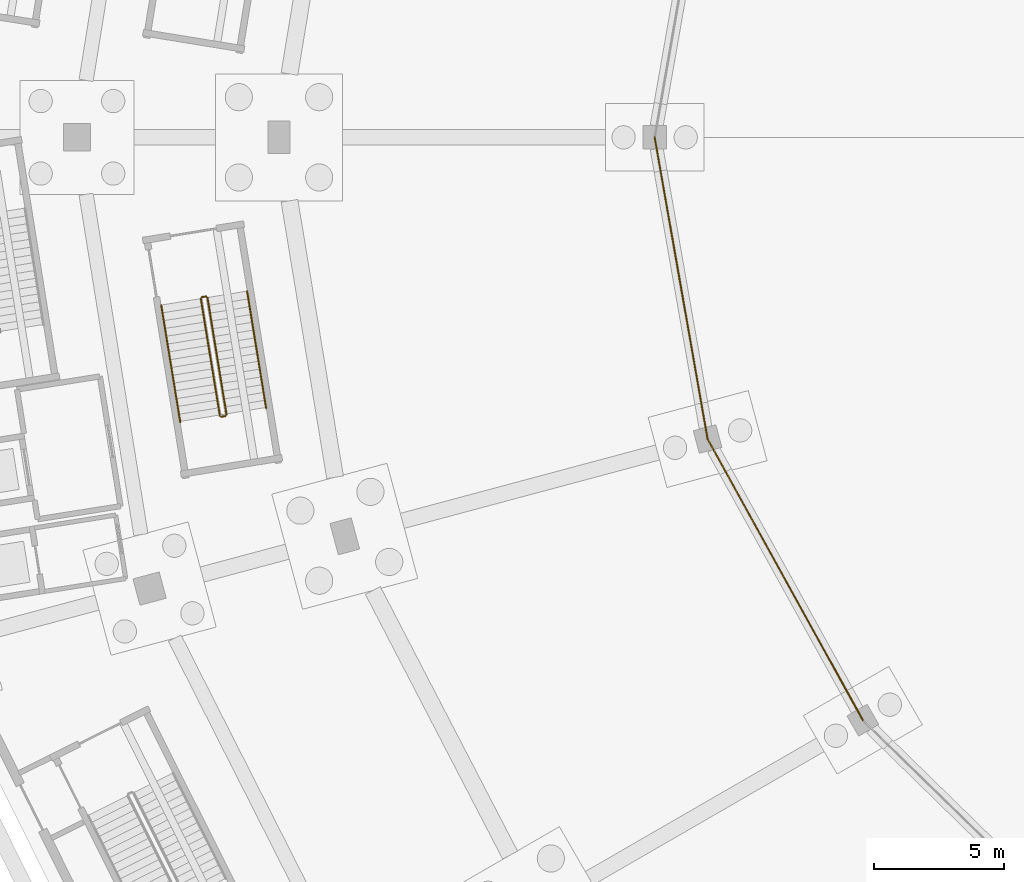
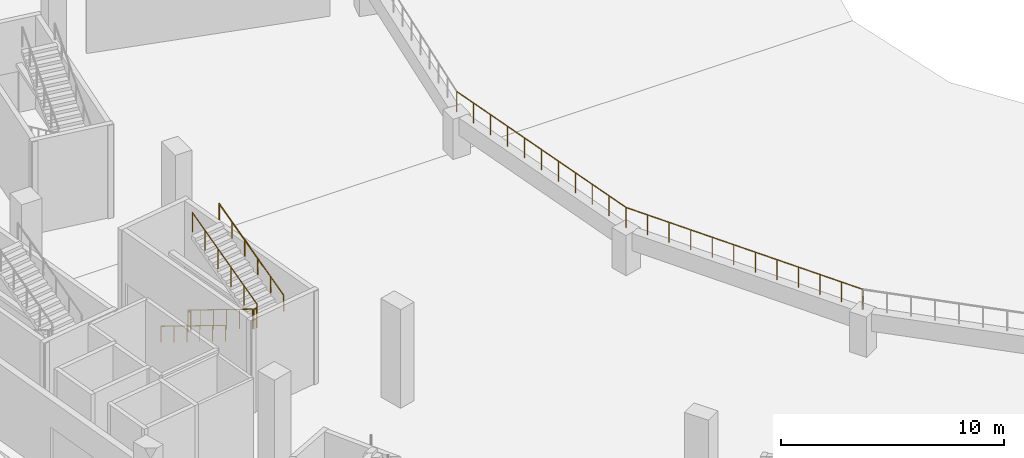
# One storey, part 66 of 103: 8 railings.
"""IFC4 building model written with IfcOpenShell, lengths in metres."""

from ifc_helpers import new_model, si_unit, direction, frame, origin, origin_2d, place, context, subcontext, project, spatial, circle, extrude, material, type_object, element, save


model = new_model("IFC4")

# Units and contexts
model_context = context("Model", 3, precision=1e-05, world=origin(), true_north=direction((0.0, 1.0)))
body_context = subcontext(model_context, "Body", "Model", "MODEL_VIEW")
ifc_project = project(units=[si_unit("LENGTHUNIT", "METRE"), si_unit("AREAUNIT", "SQUARE_METRE"), si_unit("VOLUMEUNIT", "CUBIC_METRE"), si_unit("PLANEANGLEUNIT", "RADIAN"), si_unit("MASSUNIT", "GRAM", prefix="KILO")], contexts=[model_context])

# Site, building, storey
site_placement = place(None, origin())
site = spatial("IfcSite", under=ifc_project, at=site_placement, CompositionType="ELEMENT")
building_placement = place(site_placement, origin())
building = spatial("IfcBuilding", under=site, at=building_placement, Name="Zevraka Park Crest Stadium", CompositionType="ELEMENT")
storey_placement = place(building_placement, origin())
storey = spatial("IfcBuildingStorey", under=building, at=storey_placement, Name="L00", CompositionType="ELEMENT", Elevation=0.0)

# Railings
ifc_material_1 = material(Name="Laminated glass and stainless steel sightline bowl guard", Category="steel")
railing_type_1 = type_object("IfcRailingType", Name="GR02", PredefinedType="GUARDRAIL", material=ifc_material_1)
railing_1_placement = place(storey_placement, frame((52.0, 92.0, 2.199951171875)))
element("IfcRailing", 1, at=railing_1_placement, inside=storey, type_object=railing_type_1, Name="Lower Tier Pitch Sightline Guard GR02 12", PredefinedType="GUARDRAIL", context=body_context, shape_type="SweptSolid", body=[
    extrude(circle(Radius=0.02392578125, at=origin_2d()), frame((0.0, 0.0, 1.09619140625), z_axis=(0.172850079184, -0.984948145907, 0.0), x_axis=(0.984948145907, 0.172850079184, 0.0)), (0.0, 0.0, 1.0), 11.824951171875),
    extrude(circle(Radius=0.02099609375, at=origin_2d()), origin(), (0.0, 0.0, 1.0), 1.072021484375),
    extrude(circle(Radius=0.02099609375, at=origin_2d()), frame((0.204345703125, -1.164794921875, 0.0)), (0.0, 0.0, 1.0), 1.072021484375),
    extrude(circle(Radius=0.02099609375, at=origin_2d()), frame((0.40869140625, -2.329345703125, 0.0)), (0.0, 0.0, 1.0), 1.072021484375),
    extrude(circle(Radius=0.02099609375, at=origin_2d()), frame((0.61328125, -3.494140625, 0.0)), (0.0, 0.0, 1.0), 1.072021484375),
    extrude(circle(Radius=0.02099609375, at=origin_2d()), frame((0.817626953125, -4.65869140625, 0.0)), (0.0, 0.0, 1.0), 1.072021484375),
    extrude(circle(Radius=0.02099609375, at=origin_2d()), frame((1.02197265625, -5.823486328125, 0.0)), (0.0, 0.0, 1.0), 1.072021484375),
    extrude(circle(Radius=0.02099609375, at=origin_2d()), frame((1.226318359375, -6.98828125, 0.0)), (0.0, 0.0, 1.0), 1.072021484375),
    extrude(circle(Radius=0.02099609375, at=origin_2d()), frame((1.4306640625, -8.15283203125, 0.0)), (0.0, 0.0, 1.0), 1.072021484375),
    extrude(circle(Radius=0.02099609375, at=origin_2d()), frame((1.63525390625, -9.317626953125, 0.0)), (0.0, 0.0, 1.0), 1.072021484375),
    extrude(circle(Radius=0.02099609375, at=origin_2d()), frame((1.839599609375, -10.482177734375, 0.0)), (0.0, 0.0, 1.0), 1.072021484375),
    extrude(circle(Radius=0.02099609375, at=origin_2d()), frame((2.0439453125, -11.64697265625, 0.0)), (0.0, 0.0, 1.0), 1.072021484375),
])
railing_2_placement = place(storey_placement, frame((54.0439453125, 80.35302734375, 2.199951171875)))
element("IfcRailing", 2, at=railing_2_placement, inside=storey, type_object=railing_type_1, Name="Lower Tier Pitch Sightline Guard GR02 13", PredefinedType="GUARDRAIL", context=body_context, shape_type="SweptSolid", body=[
    extrude(circle(Radius=0.02392578125, at=origin_2d()), frame((0.0, 0.0, 1.09619140625), z_axis=(0.483464590842, -0.875363918266, 0.0), x_axis=(0.875363918266, 0.483464590842, 0.0)), (0.0, 0.0, 1.0), 12.398193359375),
    extrude(circle(Radius=0.02099609375, at=origin_2d()), origin(), (0.0, 0.0, 1.0), 1.072021484375),
    extrude(circle(Radius=0.02099609375, at=origin_2d()), frame((0.544921875, -0.986572265625, 0.0)), (0.0, 0.0, 1.0), 1.072021484375),
    extrude(circle(Radius=0.02099609375, at=origin_2d()), frame((1.08984375, -1.973388671875, 0.0)), (0.0, 0.0, 1.0), 1.072021484375),
    extrude(circle(Radius=0.02099609375, at=origin_2d()), frame((1.634765625, -2.9599609375, 0.0)), (0.0, 0.0, 1.0), 1.072021484375),
    extrude(circle(Radius=0.02099609375, at=origin_2d()), frame((2.1796875, -3.946533203125, 0.0)), (0.0, 0.0, 1.0), 1.072021484375),
    extrude(circle(Radius=0.02099609375, at=origin_2d()), frame((2.724609375, -4.93310546875, 0.0)), (0.0, 0.0, 1.0), 1.072021484375),
    extrude(circle(Radius=0.02099609375, at=origin_2d()), frame((3.26953125, -5.919921875, 0.0)), (0.0, 0.0, 1.0), 1.072021484375),
    extrude(circle(Radius=0.02099609375, at=origin_2d()), frame((3.814453125, -6.906494140625, 0.0)), (0.0, 0.0, 1.0), 1.072021484375),
    extrude(circle(Radius=0.02099609375, at=origin_2d()), frame((4.359375, -7.89306640625, 0.0)), (0.0, 0.0, 1.0), 1.072021484375),
    extrude(circle(Radius=0.02099609375, at=origin_2d()), frame((4.904296875, -8.879638671875, 0.0)), (0.0, 0.0, 1.0), 1.072021484375),
    extrude(circle(Radius=0.02099609375, at=origin_2d()), frame((5.44921875, -9.866455078125, 0.0)), (0.0, 0.0, 1.0), 1.072021484375),
    extrude(circle(Radius=0.02099609375, at=origin_2d()), frame((5.994140625, -10.85302734375, 0.0)), (0.0, 0.0, 1.0), 1.072021484375),
])
ifc_material_2 = material(Name="Powder-coated tubular steel stairwell guard", Category="steel")
railing_type_2 = type_object("IfcRailingType", Name="GR03", PredefinedType="GUARDRAIL", material=ifc_material_2)
railing_3_placement = place(storey_placement, frame((34.48193359375, 85.77294921875, 0.168701171875)))
element("IfcRailing", 3, at=railing_3_placement, inside=storey, type_object=railing_type_2, Name="L00 ST39 stair guard 1", PredefinedType="GUARDRAIL", context=body_context, shape_type="SweptSolid", body=[
    extrude(circle(Radius=0.02392578125, at=origin_2d()), frame((0.0, 0.0, 1.076171875), z_axis=(0.140638749695, -0.863630250448, 0.484111074646), x_axis=(0.986998608989, 0.160728795971, 0.0)), (0.0, 0.0, 1.0), 5.228759765625),
    extrude(circle(Radius=0.02099609375, at=origin_2d()), origin(), (0.0, 0.0, 1.0), 1.052001953125),
    extrude(circle(Radius=0.02099609375, at=origin_2d()), frame((0.14697265625, -0.903076171875, 0.50634765625)), (0.0, 0.0, 1.0), 1.052001953125),
    extrude(circle(Radius=0.02099609375, at=origin_2d()), frame((0.294189453125, -1.80615234375, 1.012451171875)), (0.0, 0.0, 1.0), 1.052001953125),
    extrude(circle(Radius=0.02099609375, at=origin_2d()), frame((0.441162109375, -2.70947265625, 1.518798828125)), (0.0, 0.0, 1.0), 1.052001953125),
    extrude(circle(Radius=0.02099609375, at=origin_2d()), frame((0.58837890625, -3.612548828125, 2.02490234375)), (0.0, 0.0, 1.0), 1.052001953125),
    extrude(circle(Radius=0.02099609375, at=origin_2d()), frame((0.7353515625, -4.515625, 2.53125)), (0.0, 0.0, 1.0), 1.052001953125),
])
railing_4_placement = place(storey_placement, frame((35.274658203125, 81.216064453125, 2.699951171875)))
element("IfcRailing", 4, at=railing_4_placement, inside=storey, type_object=railing_type_2, Name="L00 ST39 stair guard 2", PredefinedType="GUARDRAIL", context=body_context, shape_type="SweptSolid", body=[
    extrude(circle(Radius=0.02392578125, at=origin_2d()), frame((0.0, 0.0, 1.076171875), z_axis=(0.98680366745, 0.161921344814, 0.0), x_axis=(-0.161921344814, 0.98680366745, 0.0)), (0.0, 0.0, 1.0), 0.159912109375),
    extrude(circle(Radius=0.02099609375, at=origin_2d()), origin(), (0.0, 0.0, 1.0), 1.052001953125),
    extrude(circle(Radius=0.02099609375, at=origin_2d()), frame((0.15771484375, 0.02587890625, 0.0)), (0.0, 0.0, 1.0), 1.052001953125),
])
railing_5_placement = place(storey_placement, frame((35.473876953125, 81.29931640625, 2.86865234375)))
element("IfcRailing", 5, at=railing_5_placement, inside=storey, type_object=railing_type_2, Name="L00 ST39 stair guard 3", PredefinedType="GUARDRAIL", context=body_context, shape_type="SweptSolid", body=[
    extrude(circle(Radius=0.02392578125, at=origin_2d()), frame((0.0, 0.0, 1.076171875), z_axis=(-0.140644421188, 0.863618383089, 0.484130597235), x_axis=(-0.986997230318, -0.160737261839, 0.0)), (0.0, 0.0, 1.0), 5.228515625),
    extrude(circle(Radius=0.02099609375, at=origin_2d()), origin(), (0.0, 0.0, 1.0), 1.052001953125),
    extrude(circle(Radius=0.02099609375, at=origin_2d()), frame((-0.14697265625, 0.903076171875, 0.50634765625)), (0.0, 0.0, 1.0), 1.052001953125),
    extrude(circle(Radius=0.02099609375, at=origin_2d()), frame((-0.294189453125, 1.80615234375, 1.012451171875)), (0.0, 0.0, 1.0), 1.052001953125),
    extrude(circle(Radius=0.02099609375, at=origin_2d()), frame((-0.441162109375, 2.709228515625, 1.518798828125)), (0.0, 0.0, 1.0), 1.052001953125),
    extrude(circle(Radius=0.02099609375, at=origin_2d()), frame((-0.58837890625, 3.6123046875, 2.02490234375)), (0.0, 0.0, 1.0), 1.052001953125),
    extrude(circle(Radius=0.02099609375, at=origin_2d()), frame((-0.7353515625, 4.515380859375, 2.53125)), (0.0, 0.0, 1.0), 1.052001953125),
])
railing_6_placement = place(storey_placement, frame((34.523193359375, 85.830322265625, 0.0)))
element("IfcRailing", 6, at=railing_6_placement, inside=storey, type_object=railing_type_2, Name="L00 ST39 stair guard 4", PredefinedType="GUARDRAIL", context=body_context, shape_type="SweptSolid", body=[
    extrude(circle(Radius=0.02392578125, at=origin_2d()), frame((0.0, 0.0, 1.076171875), z_axis=(0.987085924886, 0.160191687964, 0.0), x_axis=(-0.160191687964, 0.987085924886, 0.0)), (0.0, 0.0, 1.0), 0.159912109375),
    extrude(circle(Radius=0.02099609375, at=origin_2d()), origin(), (0.0, 0.0, 1.0), 1.052001953125),
    extrude(circle(Radius=0.02099609375, at=origin_2d()), frame((0.157958984375, 0.025634765625, 0.0)), (0.0, 0.0, 1.0), 1.052001953125),
])
ifc_material_3 = material(Name="Brushed stainless steel continuous handrail", Category="steel")
railing_type_3 = type_object("IfcRailingType", Name="HR01", PredefinedType="HANDRAIL", material=ifc_material_3)
railing_7_placement = place(storey_placement, frame((32.9521484375, 85.52392578125, 0.168701171875)))
element("IfcRailing", 7, at=railing_7_placement, inside=storey, type_object=railing_type_3, Name="L00 ST39 stair handrail 1", PredefinedType="HANDRAIL", context=body_context, shape_type="SweptSolid", body=[
    extrude(circle(Radius=0.02392578125, at=origin_2d()), frame((0.0, 0.0, 0.8759765625), z_axis=(0.140592979981, -0.863635920866, 0.484114253219), x_axis=(0.987007073121, 0.160676811049, 0.0)), (0.0, 0.0, 1.0), 5.228515625),
    extrude(circle(Radius=0.02099609375, at=origin_2d()), origin(), (0.0, 0.0, 1.0), 0.851806640625),
    extrude(circle(Radius=0.02099609375, at=origin_2d()), frame((0.14697265625, -0.903076171875, 0.50634765625)), (0.0, 0.0, 1.0), 0.851806640625),
    extrude(circle(Radius=0.02099609375, at=origin_2d()), frame((0.2939453125, -1.80615234375, 1.012451171875)), (0.0, 0.0, 1.0), 0.851806640625),
    extrude(circle(Radius=0.02099609375, at=origin_2d()), frame((0.441162109375, -2.70947265625, 1.518798828125)), (0.0, 0.0, 1.0), 0.851806640625),
    extrude(circle(Radius=0.02099609375, at=origin_2d()), frame((0.588134765625, -3.612548828125, 2.02490234375)), (0.0, 0.0, 1.0), 0.851806640625),
    extrude(circle(Radius=0.02099609375, at=origin_2d()), frame((0.735107421875, -4.515625, 2.53125)), (0.0, 0.0, 1.0), 0.851806640625),
])
railing_8_placement = place(storey_placement, frame((37.003662109375, 81.54833984375, 2.86865234375)))
element("IfcRailing", 8, at=railing_8_placement, inside=storey, type_object=railing_type_3, Name="L00 ST39 stair handrail 2", PredefinedType="HANDRAIL", context=body_context, shape_type="SweptSolid", body=[
    extrude(circle(Radius=0.02392578125, at=origin_2d()), frame((0.0, 0.0, 0.8759765625), z_axis=(-0.140638749695, 0.863630250448, 0.484111074646), x_axis=(-0.986998608989, -0.160728795971, 0.0)), (0.0, 0.0, 1.0), 5.228759765625),
    extrude(circle(Radius=0.02099609375, at=origin_2d()), origin(), (0.0, 0.0, 1.0), 0.851806640625),
    extrude(circle(Radius=0.02099609375, at=origin_2d()), frame((-0.14697265625, 0.903076171875, 0.50634765625)), (0.0, 0.0, 1.0), 0.851806640625),
    extrude(circle(Radius=0.02099609375, at=origin_2d()), frame((-0.294189453125, 1.80615234375, 1.012451171875)), (0.0, 0.0, 1.0), 0.851806640625),
    extrude(circle(Radius=0.02099609375, at=origin_2d()), frame((-0.441162109375, 2.70947265625, 1.518798828125)), (0.0, 0.0, 1.0), 0.851806640625),
    extrude(circle(Radius=0.02099609375, at=origin_2d()), frame((-0.58837890625, 3.612548828125, 2.02490234375)), (0.0, 0.0, 1.0), 0.851806640625),
    extrude(circle(Radius=0.02099609375, at=origin_2d()), frame((-0.7353515625, 4.515625, 2.53125)), (0.0, 0.0, 1.0), 0.851806640625),
])

save(model, "model.ifc")
